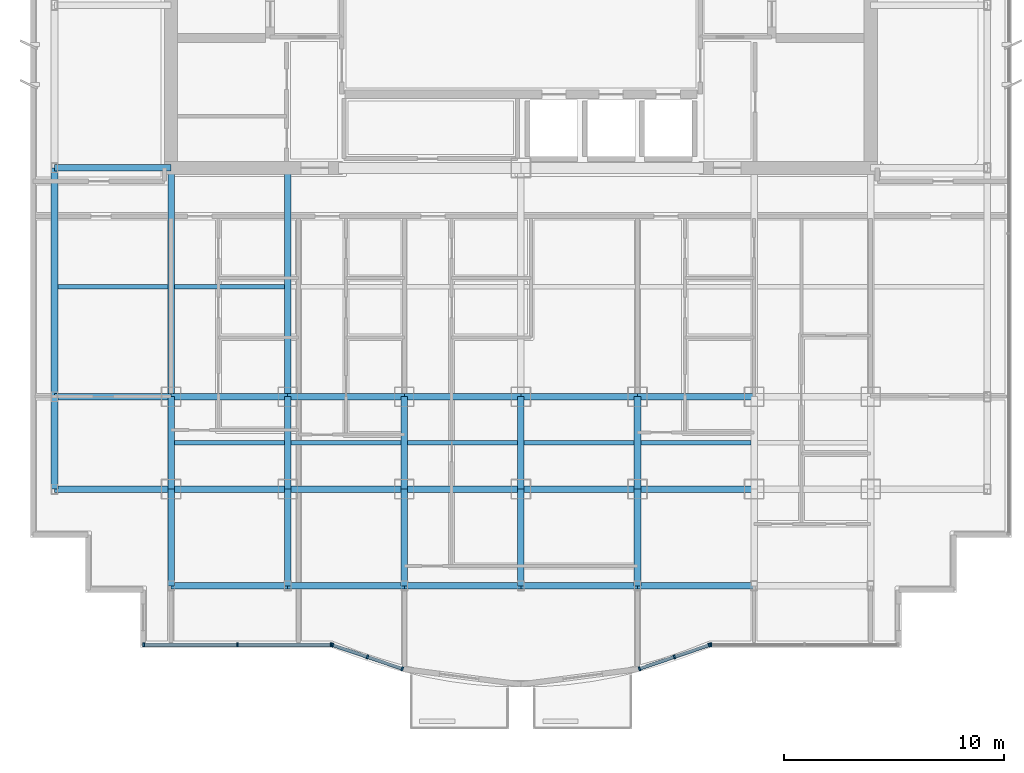
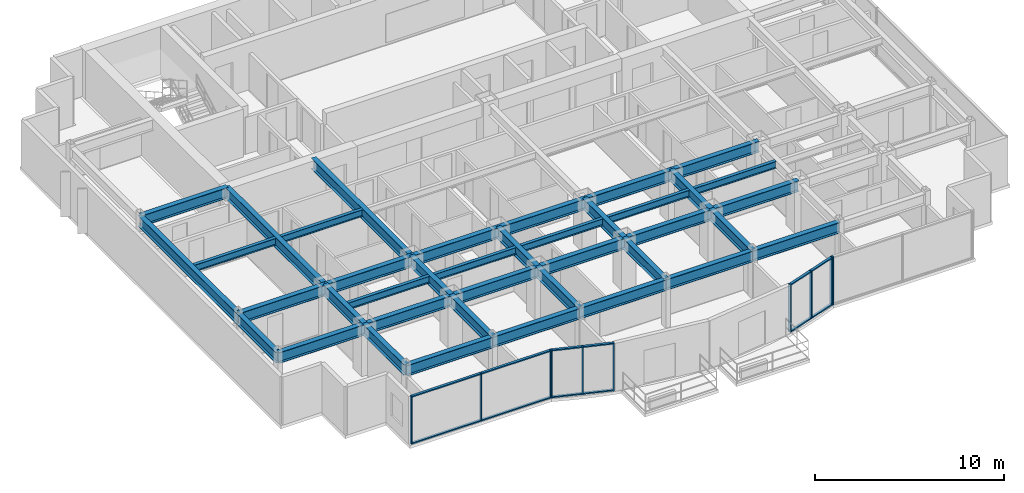
# One storey, part 2 of 13: 39 beams, 22 members, 4 elements without a shape of their own.
"""IFC4 building model written with IfcOpenShell, lengths in metres."""

from ifc_helpers import new_model, si_unit, direction, frame, origin, origin_2d, place, context, subcontext, project, spatial, rectangle, i_section, extrude, source, transform, mapped, material, layer, layer_set, material_profile, profile_set, type_object, element, aggregate, save


model = new_model("IFC4")

# Units and contexts
model_context = context("Model", 3, precision=1e-05, world=origin(), true_north=direction((0.0, 1.0)))
body_context = subcontext(model_context, "Body", "Model", "MODEL_VIEW")
ifc_project = project(units=[si_unit("LENGTHUNIT", "METRE"), si_unit("AREAUNIT", "SQUARE_METRE"), si_unit("VOLUMEUNIT", "CUBIC_METRE"), si_unit("PLANEANGLEUNIT", "RADIAN"), si_unit("MASSUNIT", "GRAM", prefix="KILO")], contexts=[model_context])

# Site, building, storey
site_placement = place(None, origin())
site = spatial("IfcSite", under=ifc_project, at=site_placement, CompositionType="ELEMENT")
building_placement = place(site_placement, origin())
building = spatial("IfcBuilding", under=site, at=building_placement, Name="Qianlan Lanfeng Residences", CompositionType="ELEMENT")
storey_placement = place(building_placement, frame((0.0, 0.0, 139.199951171875)))
storey = spatial("IfcBuildingStorey", under=building, at=storey_placement, Name="L37", CompositionType="ELEMENT", Elevation=139.199951171875)

# Beams
ifc_material_1 = material(Name="Steel SN490B", Category="steel")
ifc_material_profile_1 = material_profile(ifc_material_1, i_section(OverallWidth=0.300048828125, OverallDepth=0.699951171875, WebThickness=0.012939453125, FlangeThickness=0.02392578125, at=origin_2d()), Name="H 700x300x13x24")
ifc_profile_set_1 = profile_set([ifc_material_profile_1], Name="Steel SN490B")
beam_type_1 = type_object("IfcBeamType", Name="G-750", PredefinedType="BEAM", material=ifc_profile_set_1)
beam_1_placement = place(storey_placement, frame((5.300048828125, 10.60009765625, 2.75), z_axis=(1.0, 0.0, 0.0), x_axis=(0.0, 1.0, 0.0)))
element("IfcBeam", 1, at=beam_1_placement, inside=storey, type_object=beam_type_1, Name="Structural beam G-750", PredefinedType="BEAM", context=body_context, shape_type="SweptSolid", body=[
    extrude(i_section(OverallWidth=0.300048828125, OverallDepth=0.699951171875, WebThickness=0.012939453125, FlangeThickness=0.02392578125, at=origin_2d()), origin(), (0.0, 0.0, 1.0), 5.300048828125),
])
beam_2_placement = place(storey_placement, frame((10.60009765625, 10.60009765625, 2.75), z_axis=(1.0, 0.0, 0.0), x_axis=(0.0, 1.0, 0.0)))
element("IfcBeam", 2, at=beam_2_placement, inside=storey, type_object=beam_type_1, Name="Structural beam G-750", PredefinedType="BEAM", context=body_context, shape_type="SweptSolid", body=[
    extrude(i_section(OverallWidth=0.300048828125, OverallDepth=0.699951171875, WebThickness=0.012939453125, FlangeThickness=0.02392578125, at=origin_2d()), origin(), (0.0, 0.0, 1.0), 5.2998046875),
])
for number, where, z_axis, x_axis, name in (
    (3, (15.89990234375, 10.60009765625, 2.75), (1.0, 0.0, 0.0), (0.0, 1.0, 0.0), "Structural beam G-750"),
    (4, (21.199951171875, 10.60009765625, 2.75), (1.0, 0.0, 0.0), (0.0, 1.0, 0.0), "Structural beam G-750"),
    (5, (26.5, 10.60009765625, 2.75), (1.0, 0.0, 0.0), (0.0, 1.0, 0.0), "Structural beam G-750"),
    (6, (31.800048828125, 10.60009765625, 2.75), (1.0, 0.0, 0.0), (0.0, 1.0, 0.0), "Structural beam G-750"),
    (7, (5.300048828125, 14.800048828125, 2.75), (1.0, 0.0, 0.0), (0.0, 1.0, 0.0), "Structural beam G-750"),
):
    element("IfcBeam", number, at=place(storey_placement, frame(where, z_axis=z_axis, x_axis=x_axis)), inside=storey, type_object=beam_type_1, Name=name, PredefinedType="BEAM", context=body_context, shape_type="SweptSolid", body=[
        extrude(i_section(OverallWidth=0.300048828125, OverallDepth=0.699951171875, WebThickness=0.012939453125, FlangeThickness=0.02392578125, at=origin_2d()), origin(), (0.0, 0.0, 1.0), 5.300048828125),
    ])
beam_3_placement = place(storey_placement, frame((10.60009765625, 14.800048828125, 2.75), z_axis=(1.0, 0.0, 0.0), x_axis=(0.0, 1.0, 0.0)))
element("IfcBeam", 8, at=beam_3_placement, inside=storey, type_object=beam_type_1, Name="Structural beam G-750", PredefinedType="BEAM", context=body_context, shape_type="SweptSolid", body=[
    extrude(i_section(OverallWidth=0.300048828125, OverallDepth=0.699951171875, WebThickness=0.012939453125, FlangeThickness=0.02392578125, at=origin_2d()), origin(), (0.0, 0.0, 1.0), 5.2998046875),
])
for number, where, z_axis, x_axis, name in (
    (9, (15.89990234375, 14.800048828125, 2.75), (1.0, 0.0, 0.0), (0.0, 1.0, 0.0), "Structural beam G-750"),
    (10, (21.199951171875, 14.800048828125, 2.75), (1.0, 0.0, 0.0), (0.0, 1.0, 0.0), "Structural beam G-750"),
    (11, (26.5, 14.800048828125, 2.75), (1.0, 0.0, 0.0), (0.0, 1.0, 0.0), "Structural beam G-750"),
    (12, (31.800048828125, 14.800048828125, 2.75), (1.0, 0.0, 0.0), (0.0, 1.0, 0.0), "Structural beam G-750"),
    (13, (5.300048828125, 25.199951171875, 2.75), (1.0, 0.0, 0.0), (0.0, 1.0, 0.0), "Structural beam G-750"),
):
    element("IfcBeam", number, at=place(storey_placement, frame(where, z_axis=z_axis, x_axis=x_axis)), inside=storey, type_object=beam_type_1, Name=name, PredefinedType="BEAM", context=body_context, shape_type="SweptSolid", body=[
        extrude(i_section(OverallWidth=0.300048828125, OverallDepth=0.699951171875, WebThickness=0.012939453125, FlangeThickness=0.02392578125, at=origin_2d()), origin(), (0.0, 0.0, 1.0), 5.300048828125),
    ])
beam_4_placement = place(storey_placement, frame((10.60009765625, 6.199951171875, 2.75), z_axis=(0.0, 1.0, 0.0), x_axis=(-1.0, 0.0, 0.0)))
element("IfcBeam", 14, at=beam_4_placement, inside=storey, type_object=beam_type_1, Name="Structural beam G-750", PredefinedType="BEAM", context=body_context, shape_type="SweptSolid", body=[
    extrude(i_section(OverallWidth=0.300048828125, OverallDepth=0.699951171875, WebThickness=0.012939453125, FlangeThickness=0.02392578125, at=origin_2d()), origin(), (0.0, 0.0, 1.0), 4.400146484375),
])
beam_5_placement = place(storey_placement, frame((10.60009765625, 10.60009765625, 2.75), z_axis=(0.0, 1.0, 0.0), x_axis=(-1.0, 0.0, 0.0)))
element("IfcBeam", 15, at=beam_5_placement, inside=storey, type_object=beam_type_1, Name="Structural beam G-750", PredefinedType="BEAM", context=body_context, shape_type="SweptSolid", body=[
    extrude(i_section(OverallWidth=0.300048828125, OverallDepth=0.699951171875, WebThickness=0.012939453125, FlangeThickness=0.02392578125, at=origin_2d()), origin(), (0.0, 0.0, 1.0), 4.199951171875),
])
beam_6_placement = place(storey_placement, frame((10.60009765625, 14.800048828125, 2.75), z_axis=(0.0, 1.0, 0.0), x_axis=(-1.0, 0.0, 0.0)))
element("IfcBeam", 16, at=beam_6_placement, inside=storey, type_object=beam_type_1, Name="Structural beam G-750", PredefinedType="BEAM", context=body_context, shape_type="SweptSolid", body=[
    extrude(i_section(OverallWidth=0.300048828125, OverallDepth=0.699951171875, WebThickness=0.012939453125, FlangeThickness=0.02392578125, at=origin_2d()), origin(), (0.0, 0.0, 1.0), 10.39990234375),
])
beam_7_placement = place(storey_placement, frame((15.89990234375, 6.199951171875, 2.75), z_axis=(0.0, 1.0, 0.0), x_axis=(-1.0, 0.0, 0.0)))
element("IfcBeam", 17, at=beam_7_placement, inside=storey, type_object=beam_type_1, Name="Structural beam G-750", PredefinedType="BEAM", context=body_context, shape_type="SweptSolid", body=[
    extrude(i_section(OverallWidth=0.300048828125, OverallDepth=0.699951171875, WebThickness=0.012939453125, FlangeThickness=0.02392578125, at=origin_2d()), origin(), (0.0, 0.0, 1.0), 4.400146484375),
])
beam_8_placement = place(storey_placement, frame((15.89990234375, 10.60009765625, 2.75), z_axis=(0.0, 1.0, 0.0), x_axis=(-1.0, 0.0, 0.0)))
element("IfcBeam", 18, at=beam_8_placement, inside=storey, type_object=beam_type_1, Name="Structural beam G-750", PredefinedType="BEAM", context=body_context, shape_type="SweptSolid", body=[
    extrude(i_section(OverallWidth=0.300048828125, OverallDepth=0.699951171875, WebThickness=0.012939453125, FlangeThickness=0.02392578125, at=origin_2d()), origin(), (0.0, 0.0, 1.0), 4.199951171875),
])
beam_9_placement = place(storey_placement, frame((15.89990234375, 14.800048828125, 2.75), z_axis=(0.0, 1.0, 0.0), x_axis=(-1.0, 0.0, 0.0)))
element("IfcBeam", 19, at=beam_9_placement, inside=storey, type_object=beam_type_1, Name="Structural beam G-750", PredefinedType="BEAM", context=body_context, shape_type="SweptSolid", body=[
    extrude(i_section(OverallWidth=0.300048828125, OverallDepth=0.699951171875, WebThickness=0.012939453125, FlangeThickness=0.02392578125, at=origin_2d()), origin(), (0.0, 0.0, 1.0), 10.39990234375),
])
beam_10_placement = place(storey_placement, frame((21.199951171875, 6.199951171875, 2.75), z_axis=(0.0, 1.0, 0.0), x_axis=(-1.0, 0.0, 0.0)))
element("IfcBeam", 20, at=beam_10_placement, inside=storey, type_object=beam_type_1, Name="Structural beam G-750", PredefinedType="BEAM", context=body_context, shape_type="SweptSolid", body=[
    extrude(i_section(OverallWidth=0.300048828125, OverallDepth=0.699951171875, WebThickness=0.012939453125, FlangeThickness=0.02392578125, at=origin_2d()), origin(), (0.0, 0.0, 1.0), 4.400146484375),
])
beam_11_placement = place(storey_placement, frame((21.199951171875, 10.60009765625, 2.75), z_axis=(0.0, 1.0, 0.0), x_axis=(-1.0, 0.0, 0.0)))
element("IfcBeam", 21, at=beam_11_placement, inside=storey, type_object=beam_type_1, Name="Structural beam G-750", PredefinedType="BEAM", context=body_context, shape_type="SweptSolid", body=[
    extrude(i_section(OverallWidth=0.300048828125, OverallDepth=0.699951171875, WebThickness=0.012939453125, FlangeThickness=0.02392578125, at=origin_2d()), origin(), (0.0, 0.0, 1.0), 4.199951171875),
])
beam_12_placement = place(storey_placement, frame((26.5, 6.199951171875, 2.75), z_axis=(0.0, 1.0, 0.0), x_axis=(-1.0, 0.0, 0.0)))
element("IfcBeam", 22, at=beam_12_placement, inside=storey, type_object=beam_type_1, Name="Structural beam G-750", PredefinedType="BEAM", context=body_context, shape_type="SweptSolid", body=[
    extrude(i_section(OverallWidth=0.300048828125, OverallDepth=0.699951171875, WebThickness=0.012939453125, FlangeThickness=0.02392578125, at=origin_2d()), origin(), (0.0, 0.0, 1.0), 4.400146484375),
])
beam_13_placement = place(storey_placement, frame((26.5, 10.60009765625, 2.75), z_axis=(0.0, 1.0, 0.0), x_axis=(-1.0, 0.0, 0.0)))
element("IfcBeam", 23, at=beam_13_placement, inside=storey, type_object=beam_type_1, Name="Structural beam G-750", PredefinedType="BEAM", context=body_context, shape_type="SweptSolid", body=[
    extrude(i_section(OverallWidth=0.300048828125, OverallDepth=0.699951171875, WebThickness=0.012939453125, FlangeThickness=0.02392578125, at=origin_2d()), origin(), (0.0, 0.0, 1.0), 4.199951171875),
])
beam_14_placement = place(storey_placement, frame((31.800048828125, 6.199951171875, 2.75), z_axis=(0.0, 1.0, 0.0), x_axis=(-1.0, 0.0, 0.0)))
element("IfcBeam", 24, at=beam_14_placement, inside=storey, type_object=beam_type_1, Name="Structural beam G-750", PredefinedType="BEAM", context=body_context, shape_type="SweptSolid", body=[
    extrude(i_section(OverallWidth=0.300048828125, OverallDepth=0.699951171875, WebThickness=0.012939453125, FlangeThickness=0.02392578125, at=origin_2d()), origin(), (0.0, 0.0, 1.0), 4.400146484375),
])
beam_15_placement = place(storey_placement, frame((31.800048828125, 10.60009765625, 2.75), z_axis=(0.0, 1.0, 0.0), x_axis=(-1.0, 0.0, 0.0)))
element("IfcBeam", 25, at=beam_15_placement, inside=storey, type_object=beam_type_1, Name="Structural beam G-750", PredefinedType="BEAM", context=body_context, shape_type="SweptSolid", body=[
    extrude(i_section(OverallWidth=0.300048828125, OverallDepth=0.699951171875, WebThickness=0.012939453125, FlangeThickness=0.02392578125, at=origin_2d()), origin(), (0.0, 0.0, 1.0), 4.199951171875),
])
ifc_material_profile_2 = material_profile(ifc_material_1, i_section(OverallWidth=0.199951171875, OverallDepth=0.449951171875, WebThickness=0.009033203125, FlangeThickness=0.013916015625, at=origin_2d()), Name="H 450x200x9x14")
ifc_profile_set_2 = profile_set([ifc_material_profile_2], Name="Steel SN490B")
beam_type_2 = type_object("IfcBeamType", Name="J-450", PredefinedType="JOIST", material=ifc_profile_set_2)
for number, where, z_axis, x_axis, name in (
    (26, (10.75, 12.699951171875, 2.875), (1.0, 0.0, 0.0), (0.0, 1.0, 0.0), "Structural beam J-450"),
    (27, (16.050048828125, 12.699951171875, 2.875), (1.0, 0.0, 0.0), (0.0, 1.0, 0.0), "Structural beam J-450"),
    (28, (21.35009765625, 12.699951171875, 2.875), (1.0, 0.0, 0.0), (0.0, 1.0, 0.0), "Structural beam J-450"),
    (29, (26.64990234375, 12.699951171875, 2.875), (1.0, 0.0, 0.0), (0.0, 1.0, 0.0), "Structural beam J-450"),
    (30, (31.949951171875, 12.699951171875, 2.875), (1.0, 0.0, 0.0), (0.0, 1.0, 0.0), "Structural beam J-450"),
    (31, (5.449951171875, 19.800048828125, 2.875), (1.0, 0.0, 0.0), (0.0, 1.0, 0.0), "Structural beam J-450"),
    (32, (10.75, 19.800048828125, 2.875), (1.0, 0.0, 0.0), (0.0, 1.0, 0.0), "Structural beam J-450"),
):
    element("IfcBeam", number, at=place(storey_placement, frame(where, z_axis=z_axis, x_axis=x_axis)), inside=storey, type_object=beam_type_2, Name=name, PredefinedType="JOIST", context=body_context, shape_type="SweptSolid", body=[
        extrude(i_section(OverallWidth=0.199951171875, OverallDepth=0.449951171875, WebThickness=0.009033203125, FlangeThickness=0.013916015625, at=origin_2d()), origin(), (0.0, 0.0, 1.0), 5.0),
    ])
ifc_material_profile_3 = material_profile(ifc_material_1, i_section(OverallWidth=0.300048828125, OverallDepth=0.699951171875, WebThickness=0.012939453125, FlangeThickness=0.02392578125, at=origin_2d()), Name="H 700x300x13x24")
ifc_profile_set_3 = profile_set([ifc_material_profile_3], Name="Steel SN490B")
beam_type_3 = type_object("IfcBeamType", Name="SG-750", PredefinedType="SPANDREL", material=ifc_profile_set_3)
beam_16_placement = place(storey_placement, frame((10.60009765625, 6.199951171875, 2.739990234375), z_axis=(1.0, 0.0, 0.0), x_axis=(0.0, 1.0, 0.0)))
element("IfcBeam", 33, at=beam_16_placement, inside=storey, type_object=beam_type_3, Name="Structural beam SG-750", PredefinedType="SPANDREL", context=body_context, shape_type="SweptSolid", body=[
    extrude(i_section(OverallWidth=0.300048828125, OverallDepth=0.699951171875, WebThickness=0.012939453125, FlangeThickness=0.02392578125, at=origin_2d()), origin(), (0.0, 0.0, 1.0), 5.2998046875),
])
for number, where, z_axis, x_axis, name in (
    (34, (15.89990234375, 6.199951171875, 2.739990234375), (1.0, 0.0, 0.0), (0.0, 1.0, 0.0), "Structural beam SG-750"),
    (35, (21.199951171875, 6.199951171875, 2.739990234375), (1.0, 0.0, 0.0), (0.0, 1.0, 0.0), "Structural beam SG-750"),
    (36, (26.5, 6.199951171875, 2.739990234375), (1.0, 0.0, 0.0), (0.0, 1.0, 0.0), "Structural beam SG-750"),
    (37, (31.800048828125, 6.199951171875, 2.739990234375), (1.0, 0.0, 0.0), (0.0, 1.0, 0.0), "Structural beam SG-750"),
):
    element("IfcBeam", number, at=place(storey_placement, frame(where, z_axis=z_axis, x_axis=x_axis)), inside=storey, type_object=beam_type_3, Name=name, PredefinedType="SPANDREL", context=body_context, shape_type="SweptSolid", body=[
        extrude(i_section(OverallWidth=0.300048828125, OverallDepth=0.699951171875, WebThickness=0.012939453125, FlangeThickness=0.02392578125, at=origin_2d()), origin(), (0.0, 0.0, 1.0), 5.300048828125),
    ])
beam_17_placement = place(storey_placement, frame((5.300048828125, 10.60009765625, 2.739990234375), z_axis=(0.0, 1.0, 0.0), x_axis=(-1.0, 0.0, 0.0)))
element("IfcBeam", 38, at=beam_17_placement, inside=storey, type_object=beam_type_3, Name="Structural beam SG-750", PredefinedType="SPANDREL", context=body_context, shape_type="SweptSolid", body=[
    extrude(i_section(OverallWidth=0.300048828125, OverallDepth=0.699951171875, WebThickness=0.012939453125, FlangeThickness=0.02392578125, at=origin_2d()), origin(), (0.0, 0.0, 1.0), 4.199951171875),
])
beam_18_placement = place(storey_placement, frame((5.300048828125, 14.800048828125, 2.739990234375), z_axis=(0.0, 1.0, 0.0), x_axis=(-1.0, 0.0, 0.0)))
element("IfcBeam", 39, at=beam_18_placement, inside=storey, type_object=beam_type_3, Name="Structural beam SG-750", PredefinedType="SPANDREL", context=body_context, shape_type="SweptSolid", body=[
    extrude(i_section(OverallWidth=0.300048828125, OverallDepth=0.699951171875, WebThickness=0.012939453125, FlangeThickness=0.02392578125, at=origin_2d()), origin(), (0.0, 0.0, 1.0), 10.39990234375),
])

# Curtain wall, members
ifc_material_2 = material(Name="Anodised Bronze Aluminium 6063-T6", Category="aluminium")
ifc_layer = layer(ifc_material_2, 0.219970703125)
ifc_layer_set = layer_set([ifc_layer], Name="Anodised Bronze Aluminium 6063-T6")
curtain_wall_type = type_object("IfcCurtainWallType", Name="CW-04", PredefinedType="NOTDEFINED", material=ifc_layer_set)
curtain_wall_1_placement = place(storey_placement, origin())
curtain_wall_1 = element("IfcCurtainWall", 40, at=curtain_wall_1_placement, inside=storey, type_object=curtain_wall_type, Name="L37 Unitised Curtain Wall CWR-L37-01 (CW-04)", PredefinedType="NOTDEFINED")
ifc_material_profile_4 = material_profile(ifc_material_2, rectangle(XDim=0.074951171875, YDim=0.14990234375, at=origin_2d()), Name="ALU TRANSOM 75x150")
ifc_profile_set_4 = profile_set([ifc_material_profile_4], Name="Anodised Bronze Aluminium 6063-T6")
member_type_1 = type_object("IfcMemberType", Name="CWT-150", PredefinedType="USERDEFINED", material=ifc_profile_set_4)
shared_shape_1 = source(origin(), body_context, "Body", "SweptSolid", [
    extrude(rectangle(XDim=0.074951171875, YDim=0.14990234375, at=origin_2d()), origin(), (0.0, 0.0, 1.0), 4.178955078125),
])
member_1_placement = place(storey_placement, frame((9.39501953125, 3.52001953125, 0.03759765625), z_axis=(1.0, 0.0, 0.0), x_axis=(0.0, 0.0, 1.0)))
member_1 = element("IfcMember", 41, at=member_1_placement, type_object=member_type_1, Name="CWR-L37-01 Transom 1-BOT", ObjectType="TRANSOM", PredefinedType="USERDEFINED", context=body_context, shape_type="MappedRepresentation", body=[
    mapped(shared_shape_1, transform((0.0, 0.0, 0.0), scale=1.0)),
])
member_2_placement = place(storey_placement, frame((9.39501953125, 3.52001953125, 3.0625), z_axis=(1.0, 0.0, 0.0), x_axis=(0.0, 0.0, 1.0)))
member_2 = element("IfcMember", 42, at=member_2_placement, type_object=member_type_1, Name="CWR-L37-01 Transom 1-TOP", ObjectType="TRANSOM", PredefinedType="USERDEFINED", context=body_context, shape_type="MappedRepresentation", body=[
    mapped(shared_shape_1, transform((0.0, 0.0, 0.0), scale=1.0)),
])
member_3_placement = place(storey_placement, frame((13.64892578125, 3.52001953125, 0.03759765625), z_axis=(1.0, 0.0, 0.0), x_axis=(0.0, 0.0, 1.0)))
member_3 = element("IfcMember", 43, at=member_3_placement, type_object=member_type_1, Name="CWR-L37-01 Transom 2-BOT", ObjectType="TRANSOM", PredefinedType="USERDEFINED", context=body_context, shape_type="MappedRepresentation", body=[
    mapped(shared_shape_1, transform((0.0, 0.0, 0.0), scale=1.0)),
])
member_4_placement = place(storey_placement, frame((13.64892578125, 3.52001953125, 3.0625), z_axis=(1.0, 0.0, 0.0), x_axis=(0.0, 0.0, 1.0)))
member_4 = element("IfcMember", 44, at=member_4_placement, type_object=member_type_1, Name="CWR-L37-01 Transom 2-TOP", ObjectType="TRANSOM", PredefinedType="USERDEFINED", context=body_context, shape_type="MappedRepresentation", body=[
    mapped(shared_shape_1, transform((0.0, 0.0, 0.0), scale=1.0)),
])

curtain_wall_2_placement = place(storey_placement, origin())
curtain_wall_2 = element("IfcCurtainWall", 45, at=curtain_wall_2_placement, inside=storey, type_object=curtain_wall_type, Name="L37 Unitised Curtain Wall CWR-L37-02 (CW-04)", PredefinedType="NOTDEFINED")
shared_shape_2 = source(origin(), body_context, "Body", "SweptSolid", [
    extrude(rectangle(XDim=0.074951171875, YDim=0.14990234375, at=origin_2d()), origin(), (0.0, 0.0, 1.0), 1.597900390625),
])
member_5_placement = place(storey_placement, frame((17.97412109375, 3.495849609375, 0.03759765625), z_axis=(0.946818368584, -0.321768514481, 0.0), x_axis=(0.0, 0.0, 1.0)))
member_5 = element("IfcMember", 46, at=member_5_placement, type_object=member_type_1, Name="CWR-L37-02 Transom 1-BOT", ObjectType="TRANSOM", PredefinedType="USERDEFINED", context=body_context, shape_type="MappedRepresentation", body=[
    mapped(shared_shape_2, transform((0.0, 0.0, 0.0), scale=1.0)),
])
member_6_placement = place(storey_placement, frame((17.97412109375, 3.495849609375, 3.0625), z_axis=(0.946818368584, -0.321768514481, 0.0), x_axis=(0.0, 0.0, 1.0)))
member_6 = element("IfcMember", 47, at=member_6_placement, type_object=member_type_1, Name="CWR-L37-02 Transom 1-TOP", ObjectType="TRANSOM", PredefinedType="USERDEFINED", context=body_context, shape_type="MappedRepresentation", body=[
    mapped(shared_shape_2, transform((0.0, 0.0, 0.0), scale=1.0)),
])
member_7_placement = place(storey_placement, frame((19.55810546875, 2.95751953125, 0.03759765625), z_axis=(0.94677181357, -0.321905472195, 0.0), x_axis=(0.0, 0.0, 1.0)))
member_7 = element("IfcMember", 48, at=member_7_placement, type_object=member_type_1, Name="CWR-L37-02 Transom 2-BOT", ObjectType="TRANSOM", PredefinedType="USERDEFINED", context=body_context, shape_type="MappedRepresentation", body=[
    mapped(shared_shape_2, transform((0.0, 0.0, 0.0), scale=1.0)),
])
member_8_placement = place(storey_placement, frame((19.55810546875, 2.95751953125, 3.0625), z_axis=(0.94677181357, -0.321905472195, 0.0), x_axis=(0.0, 0.0, 1.0)))
member_8 = element("IfcMember", 49, at=member_8_placement, type_object=member_type_1, Name="CWR-L37-02 Transom 2-TOP", ObjectType="TRANSOM", PredefinedType="USERDEFINED", context=body_context, shape_type="MappedRepresentation", body=[
    mapped(shared_shape_2, transform((0.0, 0.0, 0.0), scale=1.0)),
])

# Member
ifc_material_profile_5 = material_profile(ifc_material_2, rectangle(XDim=0.074951171875, YDim=0.179931640625, at=origin_2d()), Name="ALU MULLION 75x180")
ifc_profile_set_5 = profile_set([ifc_material_profile_5], Name="Anodised Bronze Aluminium 6063-T6")
member_type_2 = type_object("IfcMemberType", Name="CWM-180", PredefinedType="MULLION", material=ifc_profile_set_5)
shared_shape_3 = source(origin(), body_context, "Body", "SweptSolid", [
    extrude(rectangle(XDim=0.074951171875, YDim=0.179931640625, at=origin_2d()), origin(), (0.0, 0.0, 1.0), 3.10009765625),
])
member_9_placement = place(storey_placement, frame((9.357421875, 3.52001953125, 0.0), z_axis=(0.0, 0.0, 1.0), x_axis=(1.0, 0.0, 0.0)))
member_9 = element("IfcMember", 50, at=member_9_placement, type_object=member_type_2, Name="CWR-L37-01 Mullion 1", PredefinedType="MULLION", context=body_context, shape_type="MappedRepresentation", body=[
    mapped(shared_shape_3, transform((0.0, 0.0, 0.0), scale=1.0)),
])

member_10_placement = place(storey_placement, frame((13.611572265625, 3.52001953125, 0.0), z_axis=(0.0, 0.0, 1.0), x_axis=(1.0, 0.0, 0.0)))
member_10 = element("IfcMember", 51, at=member_10_placement, type_object=member_type_2, Name="CWR-L37-01 Mullion 2", PredefinedType="MULLION", context=body_context, shape_type="MappedRepresentation", body=[
    mapped(shared_shape_3, transform((0.0, 0.0, 0.0), scale=1.0)),
])

member_11_placement = place(storey_placement, frame((17.865478515625, 3.52001953125, 0.0), z_axis=(0.0, 0.0, 1.0), x_axis=(1.0, 0.0, 0.0)))
member_11 = element("IfcMember", 52, at=member_11_placement, type_object=member_type_2, Name="CWR-L37-01 Mullion 3", PredefinedType="MULLION", context=body_context, shape_type="MappedRepresentation", body=[
    mapped(shared_shape_3, transform((0.0, 0.0, 0.0), scale=1.0)),
])

aggregate(curtain_wall_1, [member_9, member_10, member_11, member_1, member_2, member_3, member_4])

member_12_placement = place(storey_placement, frame((17.9384765625, 3.5078125, 0.0), z_axis=(0.0, 0.0, 1.0), x_axis=(0.946795963885, -0.321834433787, 0.0)))
member_12 = element("IfcMember", 53, at=member_12_placement, type_object=member_type_2, Name="CWR-L37-02 Mullion 1", PredefinedType="MULLION", context=body_context, shape_type="MappedRepresentation", body=[
    mapped(shared_shape_3, transform((0.0, 0.0, 0.0), scale=1.0)),
])

member_13_placement = place(storey_placement, frame((19.5224609375, 2.969482421875, 0.0), z_axis=(0.0, 0.0, 1.0), x_axis=(0.946795963885, -0.321834433787, 0.0)))
member_13 = element("IfcMember", 54, at=member_13_placement, type_object=member_type_2, Name="CWR-L37-02 Mullion 2", PredefinedType="MULLION", context=body_context, shape_type="MappedRepresentation", body=[
    mapped(shared_shape_3, transform((0.0, 0.0, 0.0), scale=1.0)),
])

member_14_placement = place(storey_placement, frame((21.1064453125, 2.43115234375, 0.0), z_axis=(0.0, 0.0, 1.0), x_axis=(0.946795963885, -0.321834433787, 0.0)))
member_14 = element("IfcMember", 55, at=member_14_placement, type_object=member_type_2, Name="CWR-L37-02 Mullion 3", PredefinedType="MULLION", context=body_context, shape_type="MappedRepresentation", body=[
    mapped(shared_shape_3, transform((0.0, 0.0, 0.0), scale=1.0)),
])

aggregate(curtain_wall_2, [member_12, member_13, member_14, member_5, member_6, member_7, member_8])

# Curtain wall, members
curtain_wall_3_placement = place(storey_placement, origin())
curtain_wall_3 = element("IfcCurtainWall", 56, at=curtain_wall_3_placement, inside=storey, type_object=curtain_wall_type, Name="L37 Unitised Curtain Wall CWR-L37-03 (CW-04)", PredefinedType="NOTDEFINED")
member_15_placement = place(storey_placement, frame((31.892578125, 2.43115234375, 0.0), z_axis=(0.0, 0.0, 1.0), x_axis=(0.946826291861, 0.32174519894, 0.0)))
member_15 = element("IfcMember", 57, at=member_15_placement, type_object=member_type_2, Name="CWR-L37-03 Mullion 1", PredefinedType="MULLION", context=body_context, shape_type="MappedRepresentation", body=[
    mapped(shared_shape_3, transform((0.0, 0.0, 0.0), scale=1.0)),
])
member_16_placement = place(storey_placement, frame((33.47705078125, 2.969482421875, 0.0), z_axis=(0.0, 0.0, 1.0), x_axis=(0.946826291861, 0.32174519894, 0.0)))
member_16 = element("IfcMember", 58, at=member_16_placement, type_object=member_type_2, Name="CWR-L37-03 Mullion 2", PredefinedType="MULLION", context=body_context, shape_type="MappedRepresentation", body=[
    mapped(shared_shape_3, transform((0.0, 0.0, 0.0), scale=1.0)),
])
member_17_placement = place(storey_placement, frame((35.0615234375, 3.5078125, 0.0), z_axis=(0.0, 0.0, 1.0), x_axis=(0.946826291861, 0.32174519894, 0.0)))
member_17 = element("IfcMember", 59, at=member_17_placement, type_object=member_type_2, Name="CWR-L37-03 Mullion 3", PredefinedType="MULLION", context=body_context, shape_type="MappedRepresentation", body=[
    mapped(shared_shape_3, transform((0.0, 0.0, 0.0), scale=1.0)),
])

# Curtain wall, member
curtain_wall_4_placement = place(storey_placement, origin())
curtain_wall_4 = element("IfcCurtainWall", 60, at=curtain_wall_4_placement, inside=storey, type_object=curtain_wall_type, Name="L37 Unitised Curtain Wall CWR-L37-04 (CW-04)", PredefinedType="NOTDEFINED")
member_18_placement = place(storey_placement, frame((35.134521484375, 3.52001953125, 0.0), z_axis=(0.0, 0.0, 1.0), x_axis=(1.0, 0.0, 0.0)))
member_18 = element("IfcMember", 61, at=member_18_placement, type_object=member_type_2, Name="CWR-L37-04 Mullion 1", PredefinedType="MULLION", context=body_context, shape_type="MappedRepresentation", body=[
    mapped(shared_shape_3, transform((0.0, 0.0, 0.0), scale=1.0)),
])
aggregate(curtain_wall_4, [member_18])

# Member
shared_shape_4 = source(origin(), body_context, "Body", "SweptSolid", [
    extrude(rectangle(XDim=0.074951171875, YDim=0.14990234375, at=origin_2d()), origin(), (0.0, 0.0, 1.0), 1.598388671875),
])
member_19_placement = place(storey_placement, frame((31.927978515625, 2.443115234375, 0.03759765625), z_axis=(0.946803462724, 0.321812372312, 0.0), x_axis=(0.0, 0.0, 1.0)))
member_19 = element("IfcMember", 62, at=member_19_placement, type_object=member_type_1, Name="CWR-L37-03 Transom 1-BOT", ObjectType="TRANSOM", PredefinedType="USERDEFINED", context=body_context, shape_type="MappedRepresentation", body=[
    mapped(shared_shape_4, transform((0.0, 0.0, 0.0), scale=1.0)),
])

member_20_placement = place(storey_placement, frame((31.927978515625, 2.443115234375, 3.0625), z_axis=(0.946803462724, 0.321812372312, 0.0), x_axis=(0.0, 0.0, 1.0)))
member_20 = element("IfcMember", 63, at=member_20_placement, type_object=member_type_1, Name="CWR-L37-03 Transom 1-TOP", ObjectType="TRANSOM", PredefinedType="USERDEFINED", context=body_context, shape_type="MappedRepresentation", body=[
    mapped(shared_shape_4, transform((0.0, 0.0, 0.0), scale=1.0)),
])

member_21_placement = place(storey_placement, frame((33.512451171875, 2.981689453125, 0.03759765625), z_axis=(0.946849992367, 0.32167544506, 0.0), x_axis=(0.0, 0.0, 1.0)))
member_21 = element("IfcMember", 64, at=member_21_placement, type_object=member_type_1, Name="CWR-L37-03 Transom 2-BOT", ObjectType="TRANSOM", PredefinedType="USERDEFINED", context=body_context, shape_type="MappedRepresentation", body=[
    mapped(shared_shape_4, transform((0.0, 0.0, 0.0), scale=1.0)),
])

member_22_placement = place(storey_placement, frame((33.512451171875, 2.981689453125, 3.0625), z_axis=(0.946849992367, 0.32167544506, 0.0), x_axis=(0.0, 0.0, 1.0)))
member_22 = element("IfcMember", 65, at=member_22_placement, type_object=member_type_1, Name="CWR-L37-03 Transom 2-TOP", ObjectType="TRANSOM", PredefinedType="USERDEFINED", context=body_context, shape_type="MappedRepresentation", body=[
    mapped(shared_shape_4, transform((0.0, 0.0, 0.0), scale=1.0)),
])

aggregate(curtain_wall_3, [member_15, member_16, member_17, member_19, member_20, member_21, member_22])

save(model, "model.ifc")
